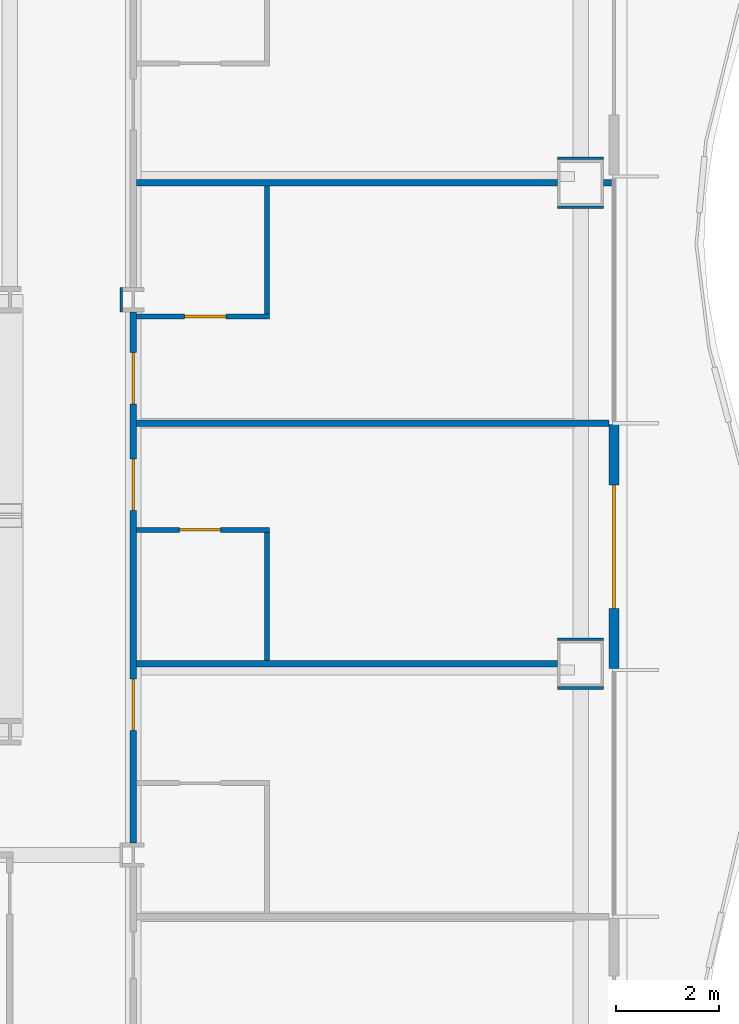
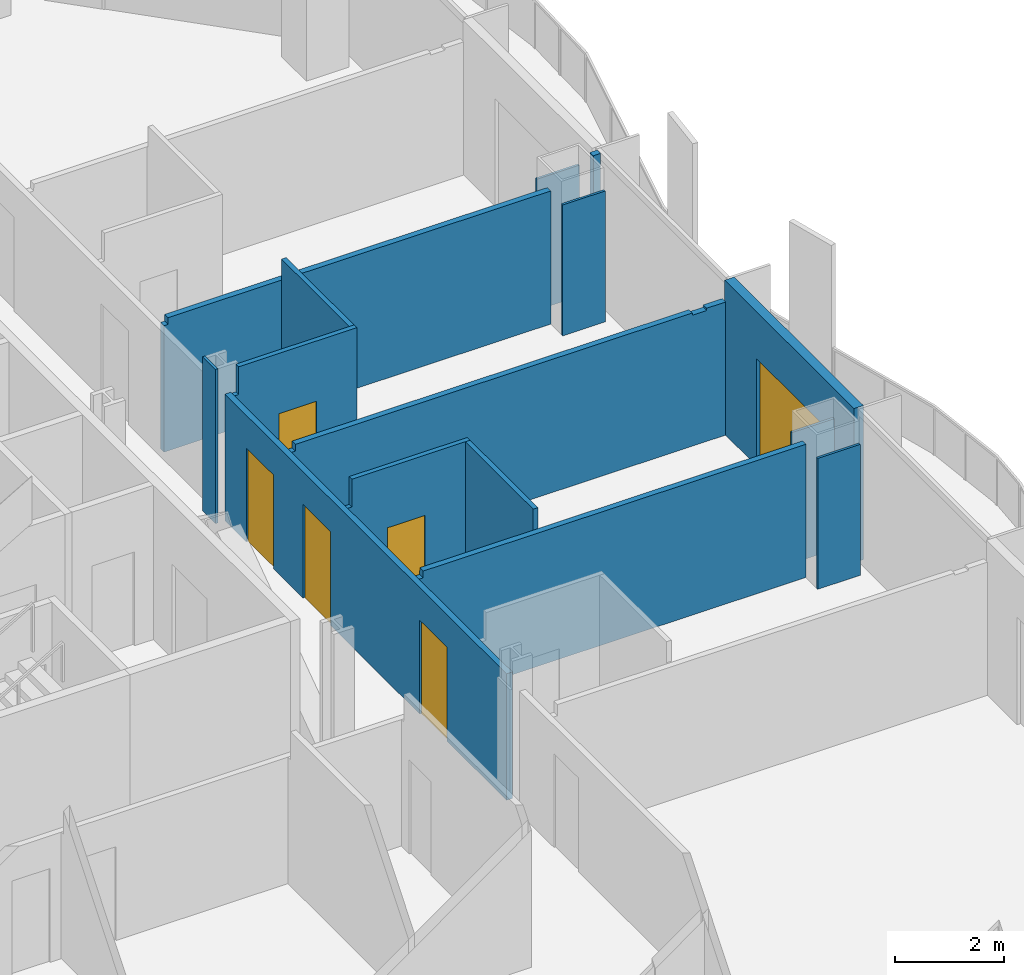
# One storey, part 11 of 20: 15 walls, 6 doors, 6 openings.
"""IFC4 building model written with IfcOpenShell, lengths in metres."""

from ifc_helpers import new_model, si_unit, direction, frame, frame_2d, origin, place, context, subcontext, project, spatial, polyline, rectangle, outline, extrude, material, layer, layer_set, type_object, element, fill, save


model = new_model("IFC4")

# Units and contexts
model_context = context("Model", 3, precision=1e-05, world=origin(), true_north=direction((0.0, 1.0)))
body_context = subcontext(model_context, "Body", "Model", "MODEL_VIEW")
ifc_project = project(units=[si_unit("LENGTHUNIT", "METRE"), si_unit("AREAUNIT", "SQUARE_METRE"), si_unit("VOLUMEUNIT", "CUBIC_METRE"), si_unit("PLANEANGLEUNIT", "RADIAN"), si_unit("MASSUNIT", "GRAM", prefix="KILO")], contexts=[model_context])

# Site, building, storey
site_placement = place(None, origin())
site = spatial("IfcSite", under=ifc_project, at=site_placement, CompositionType="ELEMENT")
building_placement = place(site_placement, origin())
building = spatial("IfcBuilding", under=site, at=building_placement, Name="Cairn Pilgrim Tower", CompositionType="ELEMENT")
storey_placement = place(building_placement, frame((0.0, 0.0, 83.39990234375)))
storey = spatial("IfcBuildingStorey", under=building, at=storey_placement, Name="L19", CompositionType="ELEMENT", Elevation=83.39990234375)

# Wall, opening, door
ifc_material_1 = material(Name="Bronze anodised aluminium insulated sandwich panel with mineral wool fill", Category="aluminium")
ifc_layer_1 = layer(ifc_material_1, 0.199951171875)
ifc_layer_set_1 = layer_set([ifc_layer_1], Name="BRONZE INFILL FRAME WALL 200")
wall_type_1 = type_object("IfcWallType", Name="BRONZE INFILL FRAME WALL 200", PredefinedType="NOTDEFINED", material=ifc_layer_set_1)
wall_1_placement = place(storey_placement, frame((28.550048828125, -4.77001953125, 0.0), z_axis=(0.0, 0.0, 1.0), x_axis=(0.0, 1.0, 0.0)))
wall_1 = element("IfcWall", 1, at=wall_1_placement, inside=storey, type_object=wall_type_1, Name="Bronze infill frame wall IW-E3", PredefinedType="NOTDEFINED", context=body_context, shape_type="SweptSolid", body=[
    extrude(rectangle(XDim=4.739990234375, YDim=0.199951171875, at=frame_2d((2.3701171875, 0.0))), origin(), (0.0, 0.0, 1.0), 3.4501953125),
])
opening_1_placement = place(wall_1_placement, frame((1.169921875, 0.0, 0.0)))
opening_1 = element("IfcOpeningElement", 2, at=opening_1_placement, cuts=wall_1, Name="Opening 1922B", PredefinedType="OPENING", context=body_context, shape_type="SweptSolid", body=[
    extrude(rectangle(XDim=2.39990234375, YDim=2.39990234375, at=frame_2d((1.199951171875, 1.199951171875))), frame((0.0, 0.10986328125, 0.0), z_axis=(0.0, -1.0, 0.0), x_axis=(1.0, 0.0, 0.0)), (0.0, 0.0, 1.0), 0.219970703125),
])
ifc_material_2 = material(Name="Bronze anodised aluminium frame with tinted low-E glass", Category="aluminium")
door_type_1 = type_object("IfcDoorType", Name="BALCONY SLIDING DOOR 2400x2400", OperationType="DOUBLE_DOOR_SLIDING", PredefinedType="DOOR", material=ifc_material_2)
door_1_placement = place(opening_1_placement, origin())
door_1 = element("IfcDoor", 3, at=door_1_placement, inside=storey, type_object=door_type_1, Name="Balcony sliding door 1922B", OperationType="SINGLE_SWING_LEFT", OverallHeight=2.39990234375, OverallWidth=2.39990234375, PredefinedType="DOOR", context=body_context, shape_type="SweptSolid", body=[
    extrude(rectangle(XDim=2.39990234375, YDim=2.39990234375, at=frame_2d((1.199951171875, 1.199951171875))), frame((0.0, 0.02490234375, 0.0), z_axis=(0.0, -1.0, 0.0), x_axis=(1.0, 0.0, 0.0)), (0.0, 0.0, 1.0), 0.050048828125),
])
fill(opening_1, door_1)

# Wall
ifc_material_3 = material(Name="Gypsum partition")
ifc_layer_2 = layer(ifc_material_3, 0.10009765625)
ifc_layer_set_2 = layer_set([ifc_layer_2], Name="PARTITION 100 DRYWALL")
wall_type_2 = type_object("IfcWallType", Name="PARTITION 100 DRYWALL", PredefinedType="PARTITIONING", material=ifc_layer_set_2)
wall_2_placement = place(storey_placement, frame((21.800048828125, -4.613525390625, 0.0), z_axis=(0.0, 0.0, 1.0), x_axis=(0.0, 1.0, 0.0)))
element("IfcWall", 4, at=wall_2_placement, inside=storey, type_object=wall_type_2, Name="PARTITION W053", PredefinedType="PARTITIONING", context=body_context, shape_type="SweptSolid", body=[
    extrude(rectangle(XDim=2.487548828125, YDim=0.10009765625, at=frame_2d((1.24365234375, 0.0))), origin(), (0.0, 0.0, 1.0), 3.4501953125),
])

# Wall, opening, door
wall_3_placement = place(storey_placement, frame((19.262451171875, -2.075927734375, 0.0), z_axis=(0.0, 0.0, 1.0), x_axis=(1.0, 0.0, 0.0)))
wall_3 = element("IfcWall", 5, at=wall_3_placement, inside=storey, type_object=wall_type_2, Name="PARTITION W054", PredefinedType="PARTITIONING", context=body_context, shape_type="SweptSolid", body=[
    extrude(outline(polyline([(0.0, 0.0), (2.587646484375, 0.0), (2.58740234375, 3.4501953125), (0.08740234375, 3.4501953125), (0.08544921875, 2.830078125), (0.0, 2.830078125), (0.0, 0.0)])), frame((0.0, 0.050048828125, 0.0), z_axis=(0.0, -1.0, 0.0), x_axis=(1.0, 0.0, 0.0)), (0.0, 0.0, 1.0), 0.10009765625),
])
opening_2_placement = place(wall_3_placement, frame((0.83740234375, 0.0, 0.0)))
opening_2 = element("IfcOpeningElement", 6, at=opening_2_placement, cuts=wall_3, Name="Opening 1922E", PredefinedType="OPENING", context=body_context, shape_type="SweptSolid", body=[
    extrude(rectangle(XDim=0.800048828125, YDim=2.10009765625, at=frame_2d((0.39990234375, 1.050048828125))), frame((0.0, 0.06005859375, 0.0), z_axis=(0.0, -1.0, 0.0), x_axis=(1.0, 0.0, 0.0)), (0.0, 0.0, 1.0), 0.1201171875),
])
ifc_material_4 = material(Name="Timber door leaf", Category="wood")
door_type_2 = type_object("IfcDoorType", Name="DOOR 800x2100", OperationType="NOTDEFINED", PredefinedType="DOOR", material=ifc_material_4)
door_2_placement = place(opening_2_placement, frame((0.800048828125, 0.0, 0.0), z_axis=(0.0, 0.0, 1.0), x_axis=(-1.0, 0.0, 0.0)))
door_2 = element("IfcDoor", 7, at=door_2_placement, inside=storey, type_object=door_type_2, Name="DOOR 1922E", OperationType="SINGLE_SWING_LEFT", OverallHeight=2.10009765625, OverallWidth=0.800048828125, PredefinedType="DOOR", context=body_context, shape_type="SweptSolid", body=[
    extrude(rectangle(XDim=0.800048828125, YDim=2.10009765625, at=frame_2d((0.39990234375, 1.050048828125))), frame((0.0, 0.02490234375, 0.0), z_axis=(0.0, -1.0, 0.0), x_axis=(1.0, 0.0, 0.0)), (0.0, 0.0, 1.0), 0.050048828125),
])
fill(opening_2, door_2)

wall_4_placement = place(storey_placement, frame((19.262451171875, 2.075927734375, 0.0), z_axis=(0.0, 0.0, 1.0), x_axis=(1.0, 0.0, 0.0)))
wall_4 = element("IfcWall", 8, at=wall_4_placement, inside=storey, type_object=wall_type_2, Name="PARTITION W059", PredefinedType="PARTITIONING", context=body_context, shape_type="SweptSolid", body=[
    extrude(outline(polyline([(0.0, 0.0), (2.587646484375, 0.0), (2.58740234375, 3.4501953125), (0.08740234375, 3.4501953125), (0.08544921875, 2.830078125), (0.0, 2.830078125), (0.0, 0.0)])), frame((0.0, 0.050048828125, 0.0), z_axis=(0.0, -1.0, 0.0), x_axis=(1.0, 0.0, 0.0)), (0.0, 0.0, 1.0), 0.10009765625),
])
opening_3_placement = place(wall_4_placement, frame((0.9375, 0.0, 0.0)))
opening_3 = element("IfcOpeningElement", 9, at=opening_3_placement, cuts=wall_4, Name="Opening 1923E", PredefinedType="OPENING", context=body_context, shape_type="SweptSolid", body=[
    extrude(rectangle(XDim=0.800048828125, YDim=2.10009765625, at=frame_2d((0.39990234375, 1.050048828125))), frame((0.0, 0.06005859375, 0.0), z_axis=(0.0, -1.0, 0.0), x_axis=(1.0, 0.0, 0.0)), (0.0, 0.0, 1.0), 0.1201171875),
])
door_3_placement = place(opening_3_placement, origin())
door_3 = element("IfcDoor", 10, at=door_3_placement, inside=storey, type_object=door_type_2, Name="DOOR 1923E", OperationType="SINGLE_SWING_LEFT", OverallHeight=2.10009765625, OverallWidth=0.800048828125, PredefinedType="DOOR", context=body_context, shape_type="SweptSolid", body=[
    extrude(rectangle(XDim=0.800048828125, YDim=2.10009765625, at=frame_2d((0.39990234375, 1.050048828125))), frame((0.0, 0.02490234375, 0.0), z_axis=(0.0, -1.0, 0.0), x_axis=(1.0, 0.0, 0.0)), (0.0, 0.0, 1.0), 0.050048828125),
])
fill(opening_3, door_3)

# Wall
wall_5_placement = place(storey_placement, frame((21.800048828125, 2.1259765625, 0.0), z_axis=(0.0, 0.0, 1.0), x_axis=(0.0, 1.0, 0.0)))
element("IfcWall", 11, at=wall_5_placement, inside=storey, type_object=wall_type_2, Name="PARTITION W060", PredefinedType="PARTITIONING", context=body_context, shape_type="SweptSolid", body=[
    extrude(rectangle(XDim=2.487548828125, YDim=0.10009765625, at=frame_2d((1.24365234375, 0.0))), origin(), (0.0, 0.0, 1.0), 3.4501953125),
])

# Wall, openings, doors
ifc_layer_3 = layer(ifc_material_3, 0.125)
ifc_layer_set_3 = layer_set([ifc_layer_3], Name="PARTITION 125 DRYWALL EI 60")
wall_type_3 = type_object("IfcWallType", Name="PARTITION 125 DRYWALL EI 60", PredefinedType="PARTITIONING", material=ifc_layer_set_3)
wall_6_placement = place(storey_placement, frame((19.199951171875, -8.1630859375, 0.0), z_axis=(0.0, 0.0, 1.0), x_axis=(0.0, 1.0, 0.0)))
wall_6 = element("IfcWall", 12, at=wall_6_placement, inside=storey, type_object=wall_type_3, Name="PARTITION W045", PredefinedType="PARTITIONING", context=body_context, shape_type="SweptSolid", body=[
    extrude(rectangle(XDim=10.326171875, YDim=0.125, at=frame_2d((5.1630859375, 0.0))), origin(), (0.0, 0.0, 1.0), 2.830078125),
])
opening_4_placement = place(wall_6_placement, frame((2.18701171875, 0.0, 0.0)))
opening_4 = element("IfcOpeningElement", 13, at=opening_4_placement, cuts=wall_6, Name="Opening 1921", PredefinedType="OPENING", context=body_context, shape_type="SweptSolid", body=[
    extrude(rectangle(XDim=1.0, YDim=2.10009765625, at=frame_2d((0.5, 1.050048828125))), frame((0.0, 0.072509765625, 0.0), z_axis=(0.0, -1.0, 0.0), x_axis=(1.0, 0.0, 0.0)), (0.0, 0.0, 1.0), 0.14501953125),
])
opening_5_placement = place(wall_6_placement, frame((6.462890625, 0.0, 0.0)))
opening_5 = element("IfcOpeningElement", 14, at=opening_5_placement, cuts=wall_6, Name="Opening 1922", PredefinedType="OPENING", context=body_context, shape_type="SweptSolid", body=[
    extrude(rectangle(XDim=1.0, YDim=2.10009765625, at=frame_2d((0.5, 1.050048828125))), frame((0.0, 0.072509765625, 0.0), z_axis=(0.0, -1.0, 0.0), x_axis=(1.0, 0.0, 0.0)), (0.0, 0.0, 1.0), 0.14501953125),
])
opening_6_placement = place(wall_6_placement, frame((8.5390625, 0.0, 0.0)))
opening_6 = element("IfcOpeningElement", 15, at=opening_6_placement, cuts=wall_6, Name="Opening 1923", PredefinedType="OPENING", context=body_context, shape_type="SweptSolid", body=[
    extrude(rectangle(XDim=1.0, YDim=2.10009765625, at=frame_2d((0.5, 1.050048828125))), frame((0.0, 0.072509765625, 0.0), z_axis=(0.0, -1.0, 0.0), x_axis=(1.0, 0.0, 0.0)), (0.0, 0.0, 1.0), 0.14501953125),
])
door_type_3 = type_object("IfcDoorType", Name="ACCESSIBLE DOOR 1000x2100 FD30S", OperationType="NOTDEFINED", PredefinedType="DOOR", material=ifc_material_4)
door_4_placement = place(opening_4_placement, frame((1.0, 0.0, 0.0), z_axis=(0.0, 0.0, 1.0), x_axis=(-1.0, 0.0, 0.0)))
door_4 = element("IfcDoor", 16, at=door_4_placement, inside=storey, type_object=door_type_3, Name="DOOR 1921", OperationType="SINGLE_SWING_RIGHT", OverallHeight=2.10009765625, OverallWidth=1.0, PredefinedType="DOOR", context=body_context, shape_type="SweptSolid", body=[
    extrude(rectangle(XDim=1.0, YDim=2.10009765625, at=frame_2d((0.5, 1.050048828125))), frame((0.0, 0.02490234375, 0.0), z_axis=(0.0, -1.0, 0.0), x_axis=(1.0, 0.0, 0.0)), (0.0, 0.0, 1.0), 0.050048828125),
])
fill(opening_4, door_4)
door_5_placement = place(opening_5_placement, frame((1.0, 0.0, 0.0), z_axis=(0.0, 0.0, 1.0), x_axis=(-1.0, 0.0, 0.0)))
door_5 = element("IfcDoor", 17, at=door_5_placement, inside=storey, type_object=door_type_3, Name="DOOR 1922", OperationType="SINGLE_SWING_RIGHT", OverallHeight=2.10009765625, OverallWidth=1.0, PredefinedType="DOOR", context=body_context, shape_type="SweptSolid", body=[
    extrude(rectangle(XDim=1.0, YDim=2.10009765625, at=frame_2d((0.5, 1.050048828125))), frame((0.0, 0.02490234375, 0.0), z_axis=(0.0, -1.0, 0.0), x_axis=(1.0, 0.0, 0.0)), (0.0, 0.0, 1.0), 0.050048828125),
])
fill(opening_5, door_5)
door_6_placement = place(opening_6_placement, frame((1.0, 0.0, 0.0), z_axis=(0.0, 0.0, 1.0), x_axis=(-1.0, 0.0, 0.0)))
door_6 = element("IfcDoor", 18, at=door_6_placement, inside=storey, type_object=door_type_3, Name="DOOR 1923", OperationType="SINGLE_SWING_RIGHT", OverallHeight=2.10009765625, OverallWidth=1.0, PredefinedType="DOOR", context=body_context, shape_type="SweptSolid", body=[
    extrude(rectangle(XDim=1.0, YDim=2.10009765625, at=frame_2d((0.5, 1.050048828125))), frame((0.0, 0.02490234375, 0.0), z_axis=(0.0, -1.0, 0.0), x_axis=(1.0, 0.0, 0.0)), (0.0, 0.0, 1.0), 0.050048828125),
])
fill(opening_6, door_6)

# Walls
wall_7_placement = place(storey_placement, frame((19.262451171875, -4.676025390625, 0.0), z_axis=(0.0, 0.0, 1.0), x_axis=(1.0, 0.0, 0.0)))
element("IfcWall", 19, at=wall_7_placement, inside=storey, type_object=wall_type_3, Name="PARTITION W052", PredefinedType="PARTITIONING", context=body_context, shape_type="SweptSolid", body=[
    extrude(outline(polyline([(0.0, 0.0), (8.1875, 0.0), (8.1875, 2.97998046875), (0.08740234375, 2.97998046875), (0.08544921875, 2.830078125), (0.0, 2.830078125), (0.0, 0.0)])), frame((0.0, 0.0625, 0.0), z_axis=(0.0, -1.0, 0.0), x_axis=(1.0, 0.0, 0.0)), (0.0, 0.0, 1.0), 0.125),
])
wall_8_placement = place(storey_placement, frame((19.262451171875, 0.0, 0.0), z_axis=(0.0, 0.0, 1.0), x_axis=(1.0, 0.0, 0.0)))
element("IfcWall", 20, at=wall_8_placement, inside=storey, type_object=wall_type_3, Name="PARTITION W058", PredefinedType="PARTITIONING", context=body_context, shape_type="SweptSolid", body=[
    extrude(outline(polyline([(0.0, 0.0), (9.1875, 0.0), (9.1875, 2.97998046875), (8.78759765625, 2.97998046875), (8.785400390625, 2.93017578125), (8.487548828125, 2.93017578125), (8.485595703125, 2.97998046875), (0.08740234375, 2.97998046875), (0.08544921875, 2.830078125), (0.0, 2.830078125), (0.0, 0.0)])), frame((0.0, 0.0625, 0.0), z_axis=(0.0, -1.0, 0.0), x_axis=(1.0, 0.0, 0.0)), (0.0, 0.0, 1.0), 0.125),
])
wall_9_placement = place(storey_placement, frame((19.262451171875, 4.676025390625, 0.0), z_axis=(0.0, 0.0, 1.0), x_axis=(1.0, 0.0, 0.0)))
element("IfcWall", 21, at=wall_9_placement, inside=storey, type_object=wall_type_3, Name="PARTITION W067", PredefinedType="PARTITIONING", context=body_context, shape_type="SweptSolid", body=[
    extrude(outline(polyline([(0.0, 0.0), (8.1875, 0.0), (8.1875, 2.97998046875), (0.08740234375, 2.97998046875), (0.08544921875, 2.830078125), (0.0, 2.830078125), (0.0, 0.0)])), frame((0.0, 0.0625, 0.0), z_axis=(0.0, -1.0, 0.0), x_axis=(1.0, 0.0, 0.0)), (0.0, 0.0, 1.0), 0.125),
])
wall_10_placement = place(storey_placement, frame((28.35009765625, 4.676025390625, 0.0), z_axis=(0.0, 0.0, 1.0), x_axis=(1.0, 0.0, 0.0)))
element("IfcWall", 22, at=wall_10_placement, inside=storey, type_object=wall_type_3, Name="PARTITION W068", PredefinedType="PARTITIONING", context=body_context, shape_type="SweptSolid", body=[
    extrude(rectangle(XDim=0.15283203125, YDim=0.125, at=frame_2d((0.076416015625, 0.0))), origin(), (0.0, 0.0, 1.0), 3.4501953125),
])
ifc_layer_4 = layer(ifc_material_3, 0.050048828125)
ifc_layer_set_4 = layer_set([ifc_layer_4], Name="PARTITION 50 DRYWALL EI 60")
wall_type_4 = type_object("IfcWallType", Name="PARTITION 50 DRYWALL EI 60", PredefinedType="PARTITIONING", material=ifc_layer_set_4)
wall_11_placement = place(storey_placement, frame((18.962890625, 2.1630859375, 0.0), z_axis=(0.0, 0.0, 1.0), x_axis=(0.0, 1.0, 0.0)))
element("IfcWall", 23, at=wall_11_placement, inside=storey, type_object=wall_type_4, Name="COLUMN CASING WC10", PredefinedType="PARTITIONING", context=body_context, shape_type="SweptSolid", body=[
    extrude(rectangle(XDim=0.473876953125, YDim=0.050048828125, at=frame_2d((0.23681640625, 0.0))), origin(), (0.0, 0.0, 1.0), 3.4501953125),
])
for number, where, z_axis, x_axis, name in (
    (24, (27.449951171875, -4.20068359375, 0.0), (0.0, 0.0, 1.0), (1.0, 0.0, 0.0), "COLUMN CASING WC20"),
    (25, (27.449951171875, -5.150634765625, 0.0), (0.0, 0.0, 1.0), (1.0, 0.0, 0.0), "COLUMN CASING WC21"),
    (26, (27.449951171875, 5.150634765625, 0.0), (0.0, 0.0, 1.0), (1.0, 0.0, 0.0), "COLUMN CASING WC28"),
    (27, (27.449951171875, 4.20068359375, 0.0), (0.0, 0.0, 1.0), (1.0, 0.0, 0.0), "COLUMN CASING WC29"),
):
    element("IfcWall", number, at=place(storey_placement, frame(where, z_axis=z_axis, x_axis=x_axis)), inside=storey, type_object=wall_type_4, Name=name, PredefinedType="PARTITIONING", context=body_context, shape_type="SweptSolid", body=[
        extrude(rectangle(XDim=0.900146484375, YDim=0.050048828125, at=frame_2d((0.4501953125, 0.0))), origin(), (0.0, 0.0, 1.0), 2.93017578125),
    ])

save(model, "model.ifc")
